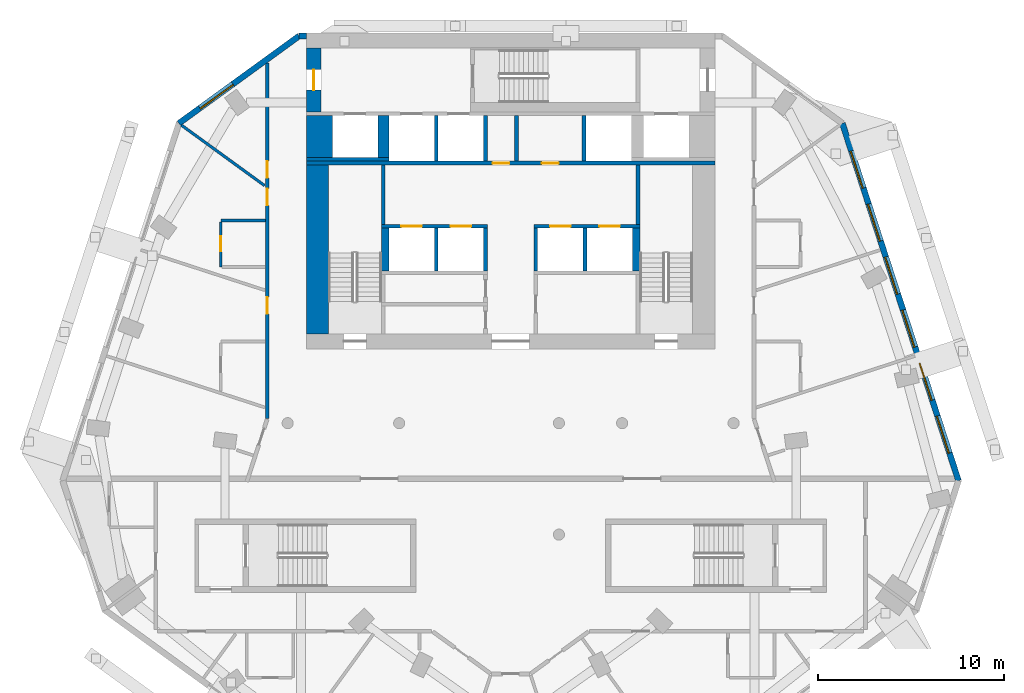
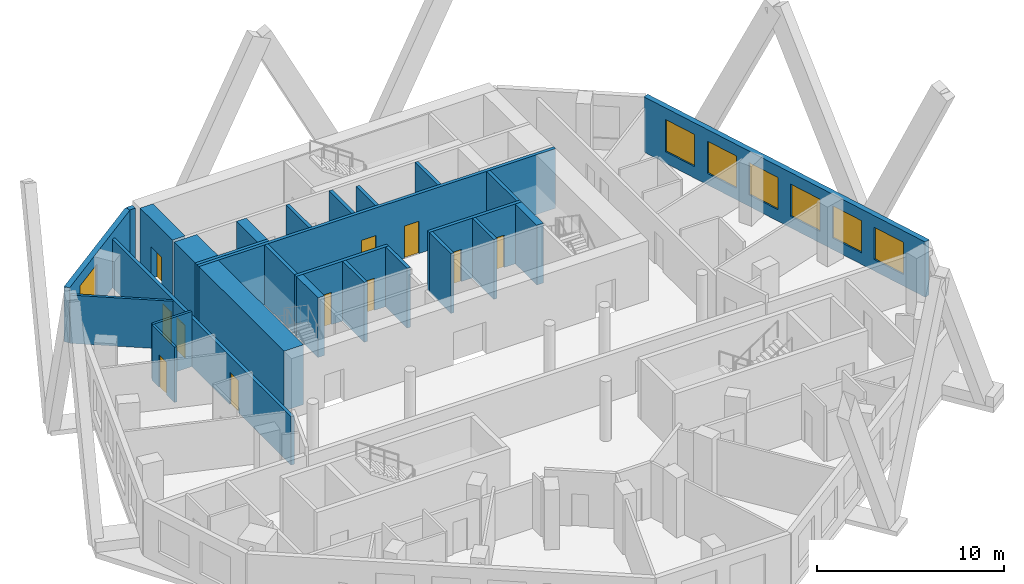
# One storey, part 6 of 10: 27 walls, 11 doors, 7 windows, 18 openings.
"""IFC4 building model written with IfcOpenShell, lengths in metres."""

from ifc_helpers import new_model, si_unit, direction, frame, frame_2d, origin, place, context, subcontext, project, spatial, rectangle, extrude, material, layer, layer_set, type_object, element, fill, save


model = new_model("IFC4")

# Units and contexts
model_context = context("Model", 3, precision=1e-05, world=origin(), true_north=direction((0.0, 1.0)))
body_context = subcontext(model_context, "Body", "Model", "MODEL_VIEW")
ifc_project = project(units=[si_unit("LENGTHUNIT", "METRE"), si_unit("AREAUNIT", "SQUARE_METRE"), si_unit("VOLUMEUNIT", "CUBIC_METRE"), si_unit("PLANEANGLEUNIT", "RADIAN"), si_unit("MASSUNIT", "GRAM", prefix="KILO")], contexts=[model_context])

# Site, building, storey
site_placement = place(None, origin())
site = spatial("IfcSite", under=ifc_project, at=site_placement, CompositionType="ELEMENT")
building_placement = place(site_placement, origin())
building = spatial("IfcBuilding", under=site, at=building_placement, Name="White Candle Pilgrim Tower", CompositionType="ELEMENT")
storey_placement = place(building_placement, frame((0.0, 0.0, 231.60009765625)))
storey = spatial("IfcBuildingStorey", under=building, at=storey_placement, Name="L54", CompositionType="ELEMENT", Elevation=231.60009765625)

# Walls
ifc_material_1 = material(Name="Concrete C50/60", Category="concrete")
ifc_layer_1 = layer(ifc_material_1, 1.39990234375)
ifc_layer_set_1 = layer_set([ifc_layer_1], Name="Core wall 1400 mm Concrete C50/60")
wall_type_1 = type_object("IfcWallType", Name="Core wall 1400 mm Concrete C50/60", PredefinedType="SHEAR", material=ifc_layer_set_1)
wall_1_placement = place(storey_placement, frame((59.699951171875, 81.300048828125, 0.0), z_axis=(0.0, 0.0, 1.0), x_axis=(0.0, 1.0, 0.0)))
element("IfcWall", 1, at=wall_1_placement, inside=storey, type_object=wall_type_1, Name="WL-L54-C40", PredefinedType="SHEAR", context=body_context, shape_type="SweptSolid", body=[
    extrude(rectangle(XDim=2.25, YDim=1.39990234375, at=frame_2d((1.125, 0.0))), origin(), (0.0, 0.0, 1.0), 3.89990234375),
])
ifc_layer_2 = layer(ifc_material_1, 0.199951171875)
ifc_layer_set_2 = layer_set([ifc_layer_2], Name="Core wall 200 mm Concrete C50/60")
wall_type_2 = type_object("IfcWallType", Name="Core wall 200 mm Concrete C50/60", PredefinedType="SHEAR", material=ifc_layer_set_2)
wall_2_placement = place(storey_placement, frame((59.0, 81.199951171875, 0.0), z_axis=(0.0, 0.0, 1.0), x_axis=(1.0, 0.0, 0.0)))
element("IfcWall", 2, at=wall_2_placement, inside=storey, type_object=wall_type_2, Name="WL-L54-C34", PredefinedType="SHEAR", context=body_context, shape_type="SweptSolid", body=[
    extrude(rectangle(XDim=4.449951171875, YDim=0.199951171875, at=frame_2d((2.22509765625, 0.0))), origin(), (0.0, 0.0, 1.0), 3.89990234375),
])

# Wall, opening, door
ifc_layer_3 = layer(ifc_material_1, 0.800048828125)
ifc_layer_set_3 = layer_set([ifc_layer_3], Name="Core wall 800 mm Concrete C50/60")
wall_type_3 = type_object("IfcWallType", Name="Core wall 800 mm Concrete C50/60", PredefinedType="SHEAR", material=ifc_layer_set_3)
wall_3_placement = place(storey_placement, frame((59.39990234375, 83.75, 0.0), z_axis=(0.0, 0.0, 1.0), x_axis=(0.0, 1.0, 0.0)))
wall_3 = element("IfcWall", 3, at=wall_3_placement, inside=storey, type_object=wall_type_3, Name="WL-L54-C45", PredefinedType="SHEAR", context=body_context, shape_type="SweptSolid", body=[
    extrude(rectangle(XDim=3.449951171875, YDim=0.800048828125, at=frame_2d((1.72509765625, 0.0))), origin(), (0.0, 0.0, 1.0), 3.89990234375),
])
opening_1_placement = place(wall_3_placement, frame((1.175048828125, 0.0, 0.0)))
opening_1 = element("IfcOpeningElement", 4, at=opening_1_placement, cuts=wall_3, Name="Opening T17-008", PredefinedType="OPENING", context=body_context, shape_type="SweptSolid", body=[
    extrude(rectangle(XDim=1.10009765625, YDim=2.10009765625, at=frame_2d((0.550048828125, 1.050048828125))), frame((0.0, 0.409912109375, 0.0), z_axis=(0.0, -1.0, 0.0), x_axis=(1.0, 0.0, 0.0)), (0.0, 0.0, 1.0), 0.820068359375),
])
ifc_material_2 = material(Name="Steel door leaf", Category="steel")
door_type_1 = type_object("IfcDoorType", Name="Fire door 1100 x 2100 EI 60", OperationType="NOTDEFINED", PredefinedType="DOOR", material=ifc_material_2)
door_1_placement = place(opening_1_placement, origin())
door_1 = element("IfcDoor", 5, at=door_1_placement, inside=storey, type_object=door_type_1, Name="Door T17-008", OperationType="SINGLE_SWING_RIGHT", OverallHeight=2.10009765625, OverallWidth=1.10009765625, PredefinedType="DOOR", context=body_context, shape_type="SweptSolid", body=[
    extrude(rectangle(XDim=1.10009765625, YDim=2.10009765625, at=frame_2d((0.550048828125, 1.050048828125))), frame((0.0, 0.02490234375, 0.0), z_axis=(0.0, -1.0, 0.0), x_axis=(1.0, 0.0, 0.0)), (0.0, 0.0, 1.0), 0.050048828125),
])
fill(opening_1, door_1)

# Wall, openings, doors
ifc_material_3 = material(Name="Gypsum board on steel studs", Category="steel")
ifc_layer_4 = layer(ifc_material_3, 0.199951171875)
ifc_layer_set_4 = layer_set([ifc_layer_4], Name="Corridor wall 200 mm EI 45")
wall_type_4 = type_object("IfcWallType", Name="Corridor wall 200 mm EI 45", PredefinedType="PARTITIONING", material=ifc_layer_set_4)
wall_4_placement = place(storey_placement, frame((56.89990234375, 67.241943359375, 0.0), z_axis=(0.0, 0.0, 1.0), x_axis=(0.0, 1.0, 0.0)))
wall_4 = element("IfcWall", 6, at=wall_4_placement, inside=storey, type_object=wall_type_4, Name="WL-L54-P003", PredefinedType="PARTITIONING", context=body_context, shape_type="SweptSolid", body=[
    extrude(rectangle(XDim=19.154296875, YDim=0.199951171875, at=frame_2d((9.5771484375, 0.0))), origin(), (0.0, 0.0, 1.0), 3.14990234375),
])
opening_2_placement = place(wall_4_placement, frame((5.646484375, 0.0, 0.0)))
opening_2 = element("IfcOpeningElement", 7, at=opening_2_placement, cuts=wall_4, Name="Opening T17-120", PredefinedType="OPENING", context=body_context, shape_type="SweptSolid", body=[
    extrude(rectangle(XDim=0.89990234375, YDim=2.10009765625, at=frame_2d((0.449951171875, 1.050048828125))), frame((0.0, 0.10986328125, 0.0), z_axis=(0.0, -1.0, 0.0), x_axis=(1.0, 0.0, 0.0)), (0.0, 0.0, 1.0), 0.219970703125),
])
opening_3_placement = place(wall_4_placement, frame((11.483642578125, 0.0, 0.0)))
opening_3 = element("IfcOpeningElement", 8, at=opening_3_placement, cuts=wall_4, Name="Opening T17-121", PredefinedType="OPENING", context=body_context, shape_type="SweptSolid", body=[
    extrude(rectangle(XDim=0.89990234375, YDim=2.10009765625, at=frame_2d((0.449951171875, 1.050048828125))), frame((0.0, 0.10986328125, 0.0), z_axis=(0.0, -1.0, 0.0), x_axis=(1.0, 0.0, 0.0)), (0.0, 0.0, 1.0), 0.219970703125),
])
opening_4_placement = place(wall_4_placement, frame((12.9580078125, 0.0, 0.0)))
opening_4 = element("IfcOpeningElement", 9, at=opening_4_placement, cuts=wall_4, Name="Opening T17-122", PredefinedType="OPENING", context=body_context, shape_type="SweptSolid", body=[
    extrude(rectangle(XDim=0.89990234375, YDim=2.10009765625, at=frame_2d((0.449951171875, 1.050048828125))), frame((0.0, 0.10986328125, 0.0), z_axis=(0.0, -1.0, 0.0), x_axis=(1.0, 0.0, 0.0)), (0.0, 0.0, 1.0), 0.219970703125),
])
door_type_2 = type_object("IfcDoorType", Name="Fire door 900 x 2100 EI 30", OperationType="NOTDEFINED", PredefinedType="DOOR", material=ifc_material_2)
door_2_placement = place(opening_2_placement, origin())
door_2 = element("IfcDoor", 10, at=door_2_placement, inside=storey, type_object=door_type_2, Name="Door T17-120", OperationType="SINGLE_SWING_RIGHT", OverallHeight=2.10009765625, OverallWidth=0.89990234375, PredefinedType="DOOR", context=body_context, shape_type="SweptSolid", body=[
    extrude(rectangle(XDim=0.89990234375, YDim=2.10009765625, at=frame_2d((0.449951171875, 1.050048828125))), frame((0.0, 0.02490234375, 0.0), z_axis=(0.0, -1.0, 0.0), x_axis=(1.0, 0.0, 0.0)), (0.0, 0.0, 1.0), 0.050048828125),
])
fill(opening_2, door_2)
door_3_placement = place(opening_3_placement, origin())
door_3 = element("IfcDoor", 11, at=door_3_placement, inside=storey, type_object=door_type_2, Name="Door T17-121", OperationType="SINGLE_SWING_LEFT", OverallHeight=2.10009765625, OverallWidth=0.89990234375, PredefinedType="DOOR", context=body_context, shape_type="SweptSolid", body=[
    extrude(rectangle(XDim=0.89990234375, YDim=2.10009765625, at=frame_2d((0.449951171875, 1.050048828125))), frame((0.0, 0.02490234375, 0.0), z_axis=(0.0, -1.0, 0.0), x_axis=(1.0, 0.0, 0.0)), (0.0, 0.0, 1.0), 0.050048828125),
])
fill(opening_3, door_3)
door_4_placement = place(opening_4_placement, origin())
door_4 = element("IfcDoor", 12, at=door_4_placement, inside=storey, type_object=door_type_2, Name="Door T17-122", OperationType="SINGLE_SWING_RIGHT", OverallHeight=2.10009765625, OverallWidth=0.89990234375, PredefinedType="DOOR", context=body_context, shape_type="SweptSolid", body=[
    extrude(rectangle(XDim=0.89990234375, YDim=2.10009765625, at=frame_2d((0.449951171875, 1.050048828125))), frame((0.0, 0.02490234375, 0.0), z_axis=(0.0, -1.0, 0.0), x_axis=(1.0, 0.0, 0.0)), (0.0, 0.0, 1.0), 0.050048828125),
])
fill(opening_4, door_4)

# Wall, openings, windows
ifc_material_4 = material(Name="Precast concrete C40/50", Category="concrete")
ifc_layer_5 = layer(ifc_material_4, 0.320068359375)
ifc_layer_set_5 = layer_set([ifc_layer_5], Name="Facade wall EW1 precast concrete C40/50 pier wall with timber-lined reveals")
wall_type_5 = type_object("IfcWallType", Name="Facade wall EW1 precast concrete C40/50 pier wall with timber-lined reveals", PredefinedType="SOLIDWALL", material=ifc_layer_set_5)
wall_5_placement = place(storey_placement, frame((94.1064453125, 63.900390625, 0.0), z_axis=(0.0, 0.0, 1.0), x_axis=(-0.309017027312, 0.951056505593, 0.0)))
wall_5 = element("IfcWall", 13, at=wall_5_placement, inside=storey, type_object=wall_type_5, Name="Facade wall L54 ENE", PredefinedType="SOLIDWALL", context=body_context, shape_type="SweptSolid", body=[
    extrude(rectangle(XDim=20.228515625, YDim=0.320068359375, at=frame_2d((10.1142578125, 0.0))), origin(), (0.0, 0.0, 1.0), 3.599853515625),
])
opening_5_placement = place(wall_5_placement, frame((1.564453125, 0.0, 0.75)))
opening_5 = element("IfcOpeningElement", 14, at=opening_5_placement, cuts=wall_5, Name="Opening W3", PredefinedType="OPENING", context=body_context, shape_type="SweptSolid", body=[
    extrude(rectangle(XDim=2.10009765625, YDim=2.10009765625, at=frame_2d((1.050048828125, 1.050048828125))), frame((0.0, 0.169921875, 0.0), z_axis=(0.0, -1.0, 0.0), x_axis=(1.0, 0.0, 0.0)), (0.0, 0.0, 1.0), 0.340087890625),
])
opening_6_placement = place(wall_5_placement, frame((4.564453125, 0.0, 0.75)))
opening_6 = element("IfcOpeningElement", 15, at=opening_6_placement, cuts=wall_5, Name="Opening W3", PredefinedType="OPENING", context=body_context, shape_type="SweptSolid", body=[
    extrude(rectangle(XDim=2.10009765625, YDim=2.10009765625, at=frame_2d((1.050048828125, 1.050048828125))), frame((0.0, 0.169921875, 0.0), z_axis=(0.0, -1.0, 0.0), x_axis=(1.0, 0.0, 0.0)), (0.0, 0.0, 1.0), 0.340087890625),
])
opening_7_placement = place(wall_5_placement, frame((7.564453125, 0.0, 0.75)))
opening_7 = element("IfcOpeningElement", 16, at=opening_7_placement, cuts=wall_5, Name="Opening W3", PredefinedType="OPENING", context=body_context, shape_type="SweptSolid", body=[
    extrude(rectangle(XDim=2.10009765625, YDim=2.10009765625, at=frame_2d((1.050048828125, 1.050048828125))), frame((0.0, 0.169921875, 0.0), z_axis=(0.0, -1.0, 0.0), x_axis=(1.0, 0.0, 0.0)), (0.0, 0.0, 1.0), 0.340087890625),
])
opening_8_placement = place(wall_5_placement, frame((10.564453125, 0.0, 0.75)))
opening_8 = element("IfcOpeningElement", 17, at=opening_8_placement, cuts=wall_5, Name="Opening W3", PredefinedType="OPENING", context=body_context, shape_type="SweptSolid", body=[
    extrude(rectangle(XDim=2.10009765625, YDim=2.10009765625, at=frame_2d((1.050048828125, 1.050048828125))), frame((0.0, 0.169921875, 0.0), z_axis=(0.0, -1.0, 0.0), x_axis=(1.0, 0.0, 0.0)), (0.0, 0.0, 1.0), 0.340087890625),
])
opening_9_placement = place(wall_5_placement, frame((13.564453125, 0.0, 0.75)))
opening_9 = element("IfcOpeningElement", 18, at=opening_9_placement, cuts=wall_5, Name="Opening W3", PredefinedType="OPENING", context=body_context, shape_type="SweptSolid", body=[
    extrude(rectangle(XDim=2.10009765625, YDim=2.10009765625, at=frame_2d((1.050048828125, 1.050048828125))), frame((0.0, 0.169921875, 0.0), z_axis=(0.0, -1.0, 0.0), x_axis=(1.0, 0.0, 0.0)), (0.0, 0.0, 1.0), 0.340087890625),
])
opening_10_placement = place(wall_5_placement, frame((16.564453125, 0.0, 0.75)))
opening_10 = element("IfcOpeningElement", 19, at=opening_10_placement, cuts=wall_5, Name="Opening W3", PredefinedType="OPENING", context=body_context, shape_type="SweptSolid", body=[
    extrude(rectangle(XDim=2.10009765625, YDim=2.10009765625, at=frame_2d((1.050048828125, 1.050048828125))), frame((0.0, 0.169921875, 0.0), z_axis=(0.0, -1.0, 0.0), x_axis=(1.0, 0.0, 0.0)), (0.0, 0.0, 1.0), 0.340087890625),
])
ifc_material_5 = material(Name="Timber frame with triple glazing", Category="wood")
window_type_1 = type_object("IfcWindowType", Name="Window W3 2100x2100 timber frame triple glazing", PartitioningType="SINGLE_PANEL", PredefinedType="WINDOW", material=ifc_material_5)
window_1_placement = place(opening_5_placement, origin())
window_1 = element("IfcWindow", 20, at=window_1_placement, inside=storey, type_object=window_type_1, Name="Window W3 L54 ENE 1", OverallHeight=2.10009765625, OverallWidth=2.10009765625, PartitioningType="SINGLE_PANEL", PredefinedType="WINDOW", context=body_context, shape_type="SweptSolid", body=[
    extrude(rectangle(XDim=2.10009765625, YDim=2.10009765625, at=frame_2d((1.050048828125, 1.050048828125))), frame((0.0, 0.070068359375, 0.0), z_axis=(0.0, -1.0, 0.0), x_axis=(1.0, 0.0, 0.0)), (0.0, 0.0, 1.0), 0.06005859375),
])
fill(opening_5, window_1)
window_2_placement = place(opening_6_placement, origin())
window_2 = element("IfcWindow", 21, at=window_2_placement, inside=storey, type_object=window_type_1, Name="Window W3 L54 ENE 2", OverallHeight=2.10009765625, OverallWidth=2.10009765625, PartitioningType="SINGLE_PANEL", PredefinedType="WINDOW", context=body_context, shape_type="SweptSolid", body=[
    extrude(rectangle(XDim=2.10009765625, YDim=2.10009765625, at=frame_2d((1.050048828125, 1.050048828125))), frame((0.0, 0.070068359375, 0.0), z_axis=(0.0, -1.0, 0.0), x_axis=(1.0, 0.0, 0.0)), (0.0, 0.0, 1.0), 0.06005859375),
])
fill(opening_6, window_2)
window_3_placement = place(opening_7_placement, origin())
window_3 = element("IfcWindow", 22, at=window_3_placement, inside=storey, type_object=window_type_1, Name="Window W3 L54 ENE 3", OverallHeight=2.10009765625, OverallWidth=2.10009765625, PartitioningType="SINGLE_PANEL", PredefinedType="WINDOW", context=body_context, shape_type="SweptSolid", body=[
    extrude(rectangle(XDim=2.10009765625, YDim=2.10009765625, at=frame_2d((1.050048828125, 1.050048828125))), frame((0.0, 0.070068359375, 0.0), z_axis=(0.0, -1.0, 0.0), x_axis=(1.0, 0.0, 0.0)), (0.0, 0.0, 1.0), 0.06005859375),
])
fill(opening_7, window_3)
window_4_placement = place(opening_8_placement, origin())
window_4 = element("IfcWindow", 23, at=window_4_placement, inside=storey, type_object=window_type_1, Name="Window W3 L54 ENE 4", OverallHeight=2.10009765625, OverallWidth=2.10009765625, PartitioningType="SINGLE_PANEL", PredefinedType="WINDOW", context=body_context, shape_type="SweptSolid", body=[
    extrude(rectangle(XDim=2.10009765625, YDim=2.10009765625, at=frame_2d((1.050048828125, 1.050048828125))), frame((0.0, 0.070068359375, 0.0), z_axis=(0.0, -1.0, 0.0), x_axis=(1.0, 0.0, 0.0)), (0.0, 0.0, 1.0), 0.06005859375),
])
fill(opening_8, window_4)
window_5_placement = place(opening_9_placement, origin())
window_5 = element("IfcWindow", 24, at=window_5_placement, inside=storey, type_object=window_type_1, Name="Window W3 L54 ENE 5", OverallHeight=2.10009765625, OverallWidth=2.10009765625, PartitioningType="SINGLE_PANEL", PredefinedType="WINDOW", context=body_context, shape_type="SweptSolid", body=[
    extrude(rectangle(XDim=2.10009765625, YDim=2.10009765625, at=frame_2d((1.050048828125, 1.050048828125))), frame((0.0, 0.070068359375, 0.0), z_axis=(0.0, -1.0, 0.0), x_axis=(1.0, 0.0, 0.0)), (0.0, 0.0, 1.0), 0.06005859375),
])
fill(opening_9, window_5)
window_6_placement = place(opening_10_placement, origin())
window_6 = element("IfcWindow", 25, at=window_6_placement, inside=storey, type_object=window_type_1, Name="Window W3 L54 ENE 6", OverallHeight=2.10009765625, OverallWidth=2.10009765625, PartitioningType="SINGLE_PANEL", PredefinedType="WINDOW", context=body_context, shape_type="SweptSolid", body=[
    extrude(rectangle(XDim=2.10009765625, YDim=2.10009765625, at=frame_2d((1.050048828125, 1.050048828125))), frame((0.0, 0.070068359375, 0.0), z_axis=(0.0, -1.0, 0.0), x_axis=(1.0, 0.0, 0.0)), (0.0, 0.0, 1.0), 0.06005859375),
])
fill(opening_10, window_6)

# Wall
wall_6_placement = place(storey_placement, frame((59.0, 87.840087890625, 0.0), z_axis=(0.0, 0.0, 1.0), x_axis=(-1.0, 0.0, 0.0)))
element("IfcWall", 26, at=wall_6_placement, inside=storey, type_object=wall_type_5, Name="Facade wall L54 N", PredefinedType="SOLIDWALL", context=body_context, shape_type="SweptSolid", body=[
    extrude(rectangle(XDim=0.385009765625, YDim=0.320068359375, at=frame_2d((0.1923828125, 0.0))), origin(), (0.0, 0.0, 1.0), 3.599853515625),
])

# Wall, opening, window
wall_7_placement = place(storey_placement, frame((58.614990234375, 87.840087890625, 0.0), z_axis=(0.0, 0.0, 1.0), x_axis=(-0.809010558388, -0.587794110566, 0.0)))
wall_7 = element("IfcWall", 27, at=wall_7_placement, inside=storey, type_object=wall_type_5, Name="Facade wall L54 NW chamfer", PredefinedType="SOLIDWALL", context=body_context, shape_type="SweptSolid", body=[
    extrude(rectangle(XDim=7.998046875, YDim=0.320068359375, at=frame_2d((3.9990234375, 0.0))), origin(), (0.0, 0.0, 1.0), 3.599853515625),
])
opening_11_placement = place(wall_7_placement, frame((4.39892578125, 0.0, 0.75)))
opening_11 = element("IfcOpeningElement", 28, at=opening_11_placement, cuts=wall_7, Name="Opening W4", PredefinedType="OPENING", context=body_context, shape_type="SweptSolid", body=[
    extrude(rectangle(XDim=2.199951171875, YDim=2.10009765625, at=frame_2d((1.10009765625, 1.050048828125))), frame((0.0, 0.169921875, 0.0), z_axis=(0.0, -1.0, 0.0), x_axis=(1.0, 0.0, 0.0)), (0.0, 0.0, 1.0), 0.340087890625),
])
window_type_2 = type_object("IfcWindowType", Name="Window W4 2200x2100 timber frame triple glazing", PartitioningType="SINGLE_PANEL", PredefinedType="WINDOW", material=ifc_material_5)
window_7_placement = place(opening_11_placement, origin())
window_7 = element("IfcWindow", 29, at=window_7_placement, inside=storey, type_object=window_type_2, Name="Window W4 L54 NW chamfer 2", OverallHeight=2.10009765625, OverallWidth=2.199951171875, PartitioningType="SINGLE_PANEL", PredefinedType="WINDOW", context=body_context, shape_type="SweptSolid", body=[
    extrude(rectangle(XDim=2.199951171875, YDim=2.10009765625, at=frame_2d((1.10009765625, 1.050048828125))), frame((0.0, 0.070068359375, 0.0), z_axis=(0.0, -1.0, 0.0), x_axis=(1.0, 0.0, 0.0)), (0.0, 0.0, 1.0), 0.06005859375),
])
fill(opening_11, window_7)

# Walls
ifc_layer_6 = layer(ifc_material_3, 0.199951171875)
ifc_layer_set_6 = layer_set([ifc_layer_6], Name="Lobby wall 200 mm EI 60")
wall_type_6 = type_object("IfcWallType", Name="Lobby wall 200 mm EI 60", PredefinedType="PARTITIONING", material=ifc_layer_set_6)
wall_8_placement = place(storey_placement, frame((70.320068359375, 81.10009765625, 0.0), z_axis=(0.0, 0.0, 1.0), x_axis=(0.0, 1.0, 0.0)))
element("IfcWall", 30, at=wall_8_placement, inside=storey, type_object=wall_type_6, Name="WL-L54-C37", PredefinedType="PARTITIONING", context=body_context, shape_type="SweptSolid", body=[
    extrude(rectangle(XDim=2.449951171875, YDim=0.199951171875, at=frame_2d((1.22509765625, 0.0))), origin(), (0.0, 0.0, 1.0), 3.599853515625),
])
ifc_layer_7 = layer(ifc_material_3, 0.14990234375)
ifc_layer_set_7 = layer_set([ifc_layer_7], Name="Partition 150 mm EI 60")
wall_type_7 = type_object("IfcWallType", Name="Partition 150 mm EI 60", PredefinedType="PARTITIONING", material=ifc_layer_set_7)
wall_9_placement = place(storey_placement, frame((52.28076171875, 83.0400390625, 0.0), z_axis=(0.0, 0.0, 1.0), x_axis=(0.809028003405, -0.587770099364, 0.0)))
element("IfcWall", 31, at=wall_9_placement, inside=storey, type_object=wall_type_7, Name="WL-L54-P013", PredefinedType="PARTITIONING", context=body_context, shape_type="SweptSolid", body=[
    extrude(rectangle(XDim=5.531494140625, YDim=0.14990234375, at=frame_2d((2.765625, 0.0))), origin(), (0.0, 0.0, 1.0), 3.14990234375),
])
wall_10_placement = place(storey_placement, frame((56.800048828125, 77.913330078125, 0.0), z_axis=(0.0, 0.0, 1.0), x_axis=(-1.0, 0.0, 0.0)))
element("IfcWall", 32, at=wall_10_placement, inside=storey, type_object=wall_type_7, Name="WL-L54-P021", PredefinedType="PARTITIONING", context=body_context, shape_type="SweptSolid", body=[
    extrude(rectangle(XDim=2.400146484375, YDim=0.14990234375, at=frame_2d((1.2001953125, 0.0))), origin(), (0.0, 0.0, 1.0), 3.599853515625),
])

# Wall, opening, door
wall_11_placement = place(storey_placement, frame((54.39990234375, 75.413330078125, 0.0), z_axis=(0.0, 0.0, 1.0), x_axis=(0.0, 1.0, 0.0)))
wall_11 = element("IfcWall", 33, at=wall_11_placement, inside=storey, type_object=wall_type_7, Name="WL-L54-P022", PredefinedType="PARTITIONING", context=body_context, shape_type="SweptSolid", body=[
    extrude(rectangle(XDim=2.425048828125, YDim=0.14990234375, at=frame_2d((1.21240234375, 0.0))), origin(), (0.0, 0.0, 1.0), 3.599853515625),
])
opening_12_placement = place(wall_11_placement, frame((0.85009765625, 0.0, 0.0)))
opening_12 = element("IfcOpeningElement", 34, at=opening_12_placement, cuts=wall_11, Name="Opening T17-101", PredefinedType="OPENING", context=body_context, shape_type="SweptSolid", body=[
    extrude(rectangle(XDim=0.800048828125, YDim=2.10009765625, at=frame_2d((0.39990234375, 1.050048828125))), frame((0.0, 0.0849609375, 0.0), z_axis=(0.0, -1.0, 0.0), x_axis=(1.0, 0.0, 0.0)), (0.0, 0.0, 1.0), 0.169921875),
])
door_type_3 = type_object("IfcDoorType", Name="Fire door 800 x 2100 EI 30", OperationType="NOTDEFINED", PredefinedType="DOOR", material=ifc_material_2)
door_5_placement = place(opening_12_placement, origin())
door_5 = element("IfcDoor", 35, at=door_5_placement, inside=storey, type_object=door_type_3, Name="Door T17-101", OperationType="SINGLE_SWING_LEFT", OverallHeight=2.10009765625, OverallWidth=0.800048828125, PredefinedType="DOOR", context=body_context, shape_type="SweptSolid", body=[
    extrude(rectangle(XDim=0.800048828125, YDim=2.10009765625, at=frame_2d((0.39990234375, 1.050048828125))), frame((0.0, 0.02490234375, 0.0), z_axis=(0.0, -1.0, 0.0), x_axis=(1.0, 0.0, 0.0)), (0.0, 0.0, 1.0), 0.050048828125),
])
fill(opening_12, door_5)

# Walls
ifc_layer_8 = layer(ifc_material_1, 0.199951171875)
ifc_layer_set_8 = layer_set([ifc_layer_8], Name="Shaft wall 200 mm Concrete C50/60")
wall_type_8 = type_object("IfcWallType", Name="Shaft wall 200 mm Concrete C50/60", PredefinedType="SHEAR", material=ifc_layer_set_8)
for number, where, z_axis, x_axis, name in (
    (36, (66.0, 75.199951171875, 0.0), (0.0, 0.0, 1.0), (0.0, 1.0, 0.0), "WL-L54-C24"),
    (37, (68.64990234375, 75.199951171875, 0.0), (0.0, 0.0, 1.0), (0.0, 1.0, 0.0), "WL-L54-C25"),
    (38, (71.35009765625, 75.199951171875, 0.0), (0.0, 0.0, 1.0), (0.0, 1.0, 0.0), "WL-L54-C26"),
    (39, (74.0, 75.199951171875, 0.0), (0.0, 0.0, 1.0), (0.0, 1.0, 0.0), "WL-L54-C27"),
):
    element("IfcWall", number, at=place(storey_placement, frame(where, z_axis=z_axis, x_axis=x_axis)), inside=storey, type_object=wall_type_8, Name=name, PredefinedType="SHEAR", context=body_context, shape_type="SweptSolid", body=[
        extrude(rectangle(XDim=2.300048828125, YDim=0.199951171875, at=frame_2d((1.14990234375, 0.0))), origin(), (0.0, 0.0, 1.0), 3.89990234375),
    ])
for number, where, z_axis, x_axis, name in (
    (40, (66.0, 81.10009765625, 0.0), (0.0, 0.0, 1.0), (0.0, 1.0, 0.0), "WL-L54-C35"),
    (41, (68.64990234375, 81.10009765625, 0.0), (0.0, 0.0, 1.0), (0.0, 1.0, 0.0), "WL-L54-C36"),
    (42, (73.949951171875, 81.10009765625, 0.0), (0.0, 0.0, 1.0), (0.0, 1.0, 0.0), "WL-L54-C38"),
):
    element("IfcWall", number, at=place(storey_placement, frame(where, z_axis=z_axis, x_axis=x_axis)), inside=storey, type_object=wall_type_8, Name=name, PredefinedType="SHEAR", context=body_context, shape_type="SweptSolid", body=[
        extrude(rectangle(XDim=2.449951171875, YDim=0.199951171875, at=frame_2d((1.22509765625, 0.0))), origin(), (0.0, 0.0, 1.0), 3.89990234375),
    ])
ifc_layer_9 = layer(ifc_material_1, 0.60009765625)
ifc_layer_set_9 = layer_set([ifc_layer_9], Name="Shaft wall 600 mm Concrete C50/60")
wall_type_9 = type_object("IfcWallType", Name="Shaft wall 600 mm Concrete C50/60", PredefinedType="SHEAR", material=ifc_layer_set_9)
wall_12_placement = place(storey_placement, frame((63.14990234375, 81.300048828125, 0.0), z_axis=(0.0, 0.0, 1.0), x_axis=(0.0, 1.0, 0.0)))
element("IfcWall", 43, at=wall_12_placement, inside=storey, type_object=wall_type_9, Name="WL-L54-C41", PredefinedType="SHEAR", context=body_context, shape_type="SweptSolid", body=[
    extrude(rectangle(XDim=2.25, YDim=0.60009765625, at=frame_2d((1.125, 0.0))), origin(), (0.0, 0.0, 1.0), 3.89990234375),
])
ifc_layer_10 = layer(ifc_material_1, 1.199951171875)
ifc_layer_set_10 = layer_set([ifc_layer_10], Name="Stair shaft wall 1200 mm Concrete C50/60")
wall_type_10 = type_object("IfcWallType", Name="Stair shaft wall 1200 mm Concrete C50/60", PredefinedType="SHEAR", material=ifc_layer_set_10)
wall_13_placement = place(storey_placement, frame((59.60009765625, 71.800048828125, 0.0), z_axis=(0.0, 0.0, 1.0), x_axis=(0.0, 1.0, 0.0)))
element("IfcWall", 44, at=wall_13_placement, inside=storey, type_object=wall_type_10, Name="WL-L54-C12", PredefinedType="SHEAR", context=body_context, shape_type="SweptSolid", body=[
    extrude(rectangle(XDim=9.099853515625, YDim=1.199951171875, at=frame_2d((4.5498046875, 0.0))), origin(), (0.0, 0.0, 1.0), 3.89990234375),
])

# Wall, openings, doors
ifc_layer_11 = layer(ifc_material_1, 0.199951171875)
ifc_layer_set_11 = layer_set([ifc_layer_11], Name="Stair shaft wall 200 mm Concrete C50/60")
wall_type_11 = type_object("IfcWallType", Name="Stair shaft wall 200 mm Concrete C50/60", PredefinedType="SHEAR", material=ifc_layer_set_11)
wall_14_placement = place(storey_placement, frame((63.050048828125, 77.60009765625, 0.0), z_axis=(0.0, 0.0, 1.0), x_axis=(1.0, 0.0, 0.0)))
wall_14 = element("IfcWall", 45, at=wall_14_placement, inside=storey, type_object=wall_type_11, Name="WL-L54-C29", PredefinedType="SHEAR", context=body_context, shape_type="SweptSolid", body=[
    extrude(rectangle(XDim=5.699951171875, YDim=0.199951171875, at=frame_2d((2.85009765625, 0.0))), origin(), (0.0, 0.0, 1.0), 3.89990234375),
])
opening_13_placement = place(wall_14_placement, frame((1.074951171875, 0.0, 0.0)))
opening_13 = element("IfcOpeningElement", 46, at=opening_13_placement, cuts=wall_14, Name="Opening T17-014", PredefinedType="OPENING", context=body_context, shape_type="SweptSolid", body=[
    extrude(rectangle(XDim=1.10009765625, YDim=2.10009765625, at=frame_2d((0.550048828125, 1.050048828125))), frame((0.0, 0.10986328125, 0.0), z_axis=(0.0, -1.0, 0.0), x_axis=(1.0, 0.0, 0.0)), (0.0, 0.0, 1.0), 0.219970703125),
])
opening_14_placement = place(wall_14_placement, frame((3.72509765625, 0.0, 0.0)))
opening_14 = element("IfcOpeningElement", 47, at=opening_14_placement, cuts=wall_14, Name="Opening T17-015", PredefinedType="OPENING", context=body_context, shape_type="SweptSolid", body=[
    extrude(rectangle(XDim=1.10009765625, YDim=2.10009765625, at=frame_2d((0.550048828125, 1.050048828125))), frame((0.0, 0.10986328125, 0.0), z_axis=(0.0, -1.0, 0.0), x_axis=(1.0, 0.0, 0.0)), (0.0, 0.0, 1.0), 0.219970703125),
])
ifc_material_6 = material(Name="Stainless steel", Category="steel")
door_type_4 = type_object("IfcDoorType", Name="Lift landing door 1100 x 2100 E 60", OperationType="DOUBLE_DOOR_SLIDING", PredefinedType="DOOR", material=ifc_material_6)
door_6_placement = place(opening_13_placement, origin())
door_6 = element("IfcDoor", 48, at=door_6_placement, inside=storey, type_object=door_type_4, Name="Door T17-014", OperationType="DOUBLE_DOOR_SLIDING", OverallHeight=2.10009765625, OverallWidth=1.10009765625, PredefinedType="DOOR", context=body_context, shape_type="SweptSolid", body=[
    extrude(rectangle(XDim=1.10009765625, YDim=2.10009765625, at=frame_2d((0.550048828125, 1.050048828125))), frame((0.0, 0.02490234375, 0.0), z_axis=(0.0, -1.0, 0.0), x_axis=(1.0, 0.0, 0.0)), (0.0, 0.0, 1.0), 0.050048828125),
])
fill(opening_13, door_6)
door_7_placement = place(opening_14_placement, origin())
door_7 = element("IfcDoor", 49, at=door_7_placement, inside=storey, type_object=door_type_4, Name="Door T17-015", OperationType="DOUBLE_DOOR_SLIDING", OverallHeight=2.10009765625, OverallWidth=1.10009765625, PredefinedType="DOOR", context=body_context, shape_type="SweptSolid", body=[
    extrude(rectangle(XDim=1.10009765625, YDim=2.10009765625, at=frame_2d((0.550048828125, 1.050048828125))), frame((0.0, 0.02490234375, 0.0), z_axis=(0.0, -1.0, 0.0), x_axis=(1.0, 0.0, 0.0)), (0.0, 0.0, 1.0), 0.050048828125),
])
fill(opening_14, door_7)

wall_15_placement = place(storey_placement, frame((71.25, 77.60009765625, 0.0), z_axis=(0.0, 0.0, 1.0), x_axis=(1.0, 0.0, 0.0)))
wall_15 = element("IfcWall", 50, at=wall_15_placement, inside=storey, type_object=wall_type_11, Name="WL-L54-C30", PredefinedType="SHEAR", context=body_context, shape_type="SweptSolid", body=[
    extrude(rectangle(XDim=5.699951171875, YDim=0.199951171875, at=frame_2d((2.85009765625, 0.0))), origin(), (0.0, 0.0, 1.0), 3.89990234375),
])
opening_15_placement = place(wall_15_placement, frame((0.875, 0.0, 0.0)))
opening_15 = element("IfcOpeningElement", 51, at=opening_15_placement, cuts=wall_15, Name="Opening T17-016", PredefinedType="OPENING", context=body_context, shape_type="SweptSolid", body=[
    extrude(rectangle(XDim=1.10009765625, YDim=2.10009765625, at=frame_2d((0.550048828125, 1.050048828125))), frame((0.0, 0.10986328125, 0.0), z_axis=(0.0, -1.0, 0.0), x_axis=(1.0, 0.0, 0.0)), (0.0, 0.0, 1.0), 0.219970703125),
])
opening_16_placement = place(wall_15_placement, frame((3.52490234375, 0.0, 0.0)))
opening_16 = element("IfcOpeningElement", 52, at=opening_16_placement, cuts=wall_15, Name="Opening T17-017", PredefinedType="OPENING", context=body_context, shape_type="SweptSolid", body=[
    extrude(rectangle(XDim=1.10009765625, YDim=2.10009765625, at=frame_2d((0.550048828125, 1.050048828125))), frame((0.0, 0.10986328125, 0.0), z_axis=(0.0, -1.0, 0.0), x_axis=(1.0, 0.0, 0.0)), (0.0, 0.0, 1.0), 0.219970703125),
])
door_8_placement = place(opening_15_placement, origin())
door_8 = element("IfcDoor", 53, at=door_8_placement, inside=storey, type_object=door_type_4, Name="Door T17-016", OperationType="DOUBLE_DOOR_SLIDING", OverallHeight=2.10009765625, OverallWidth=1.10009765625, PredefinedType="DOOR", context=body_context, shape_type="SweptSolid", body=[
    extrude(rectangle(XDim=1.10009765625, YDim=2.10009765625, at=frame_2d((0.550048828125, 1.050048828125))), frame((0.0, 0.02490234375, 0.0), z_axis=(0.0, -1.0, 0.0), x_axis=(1.0, 0.0, 0.0)), (0.0, 0.0, 1.0), 0.050048828125),
])
fill(opening_15, door_8)
door_9_placement = place(opening_16_placement, origin())
door_9 = element("IfcDoor", 54, at=door_9_placement, inside=storey, type_object=door_type_4, Name="Door T17-017", OperationType="DOUBLE_DOOR_SLIDING", OverallHeight=2.10009765625, OverallWidth=1.10009765625, PredefinedType="DOOR", context=body_context, shape_type="SweptSolid", body=[
    extrude(rectangle(XDim=1.10009765625, YDim=2.10009765625, at=frame_2d((0.550048828125, 1.050048828125))), frame((0.0, 0.02490234375, 0.0), z_axis=(0.0, -1.0, 0.0), x_axis=(1.0, 0.0, 0.0)), (0.0, 0.0, 1.0), 0.050048828125),
])
fill(opening_16, door_9)

# Walls
for number, where, z_axis, x_axis, name in (
    (55, (63.14990234375, 77.699951171875, 0.0), (0.0, 0.0, 1.0), (0.0, 1.0, 0.0), "WL-L54-C31"),
    (56, (76.85009765625, 77.699951171875, 0.0), (0.0, 0.0, 1.0), (0.0, 1.0, 0.0), "WL-L54-C32"),
):
    element("IfcWall", number, at=place(storey_placement, frame(where, z_axis=z_axis, x_axis=x_axis)), inside=storey, type_object=wall_type_11, Name=name, PredefinedType="SHEAR", context=body_context, shape_type="SweptSolid", body=[
        extrude(rectangle(XDim=3.199951171875, YDim=0.199951171875, at=frame_2d((1.60009765625, 0.0))), origin(), (0.0, 0.0, 1.0), 3.89990234375),
    ])

# Wall, openings, doors
wall_16_placement = place(storey_placement, frame((59.0, 81.0, 0.0), z_axis=(0.0, 0.0, 1.0), x_axis=(1.0, 0.0, 0.0)))
wall_16 = element("IfcWall", 57, at=wall_16_placement, inside=storey, type_object=wall_type_11, Name="WL-L54-C33", PredefinedType="SHEAR", context=body_context, shape_type="SweptSolid", body=[
    extrude(rectangle(XDim=22.0, YDim=0.199951171875, at=frame_2d((11.0, 0.0))), origin(), (0.0, 0.0, 1.0), 3.89990234375),
])
opening_17_placement = place(wall_16_placement, frame((10.034912109375, 0.0, 0.0)))
opening_17 = element("IfcOpeningElement", 58, at=opening_17_placement, cuts=wall_16, Name="Opening T17-022", PredefinedType="OPENING", context=body_context, shape_type="SweptSolid", body=[
    extrude(rectangle(XDim=0.89990234375, YDim=2.10009765625, at=frame_2d((0.449951171875, 1.050048828125))), frame((0.0, 0.10986328125, 0.0), z_axis=(0.0, -1.0, 0.0), x_axis=(1.0, 0.0, 0.0)), (0.0, 0.0, 1.0), 0.219970703125),
])
opening_18_placement = place(wall_16_placement, frame((12.68505859375, 0.0, 0.0)))
opening_18 = element("IfcOpeningElement", 59, at=opening_18_placement, cuts=wall_16, Name="Opening T17-023", PredefinedType="OPENING", context=body_context, shape_type="SweptSolid", body=[
    extrude(rectangle(XDim=0.89990234375, YDim=2.10009765625, at=frame_2d((0.449951171875, 1.050048828125))), frame((0.0, 0.10986328125, 0.0), z_axis=(0.0, -1.0, 0.0), x_axis=(1.0, 0.0, 0.0)), (0.0, 0.0, 1.0), 0.219970703125),
])
door_10_placement = place(opening_17_placement, origin())
door_10 = element("IfcDoor", 60, at=door_10_placement, inside=storey, type_object=door_type_2, Name="Door T17-022", OperationType="SINGLE_SWING_RIGHT", OverallHeight=2.10009765625, OverallWidth=0.89990234375, PredefinedType="DOOR", context=body_context, shape_type="SweptSolid", body=[
    extrude(rectangle(XDim=0.89990234375, YDim=2.10009765625, at=frame_2d((0.449951171875, 1.050048828125))), frame((0.0, 0.02490234375, 0.0), z_axis=(0.0, -1.0, 0.0), x_axis=(1.0, 0.0, 0.0)), (0.0, 0.0, 1.0), 0.050048828125),
])
fill(opening_17, door_10)
door_11_placement = place(opening_18_placement, origin())
door_11 = element("IfcDoor", 61, at=door_11_placement, inside=storey, type_object=door_type_2, Name="Door T17-023", OperationType="SINGLE_SWING_LEFT", OverallHeight=2.10009765625, OverallWidth=0.89990234375, PredefinedType="DOOR", context=body_context, shape_type="SweptSolid", body=[
    extrude(rectangle(XDim=0.89990234375, YDim=2.10009765625, at=frame_2d((0.449951171875, 1.050048828125))), frame((0.0, 0.02490234375, 0.0), z_axis=(0.0, -1.0, 0.0), x_axis=(1.0, 0.0, 0.0)), (0.0, 0.0, 1.0), 0.050048828125),
])
fill(opening_18, door_11)

# Walls
ifc_layer_12 = layer(ifc_material_1, 0.39990234375)
ifc_layer_set_12 = layer_set([ifc_layer_12], Name="Stair shaft wall 400 mm Concrete C50/60")
wall_type_12 = type_object("IfcWallType", Name="Stair shaft wall 400 mm Concrete C50/60", PredefinedType="SHEAR", material=ifc_layer_set_12)
for number, where, z_axis, x_axis, name in (
    (62, (63.25, 75.199951171875, 0.0), (0.0, 0.0, 1.0), (0.0, 1.0, 0.0), "WL-L54-C23"),
    (63, (76.75, 75.199951171875, 0.0), (0.0, 0.0, 1.0), (0.0, 1.0, 0.0), "WL-L54-C28"),
):
    element("IfcWall", number, at=place(storey_placement, frame(where, z_axis=z_axis, x_axis=x_axis)), inside=storey, type_object=wall_type_12, Name=name, PredefinedType="SHEAR", context=body_context, shape_type="SweptSolid", body=[
        extrude(rectangle(XDim=2.300048828125, YDim=0.39990234375, at=frame_2d((1.14990234375, 0.0))), origin(), (0.0, 0.0, 1.0), 3.89990234375),
    ])

save(model, "model.ifc")
